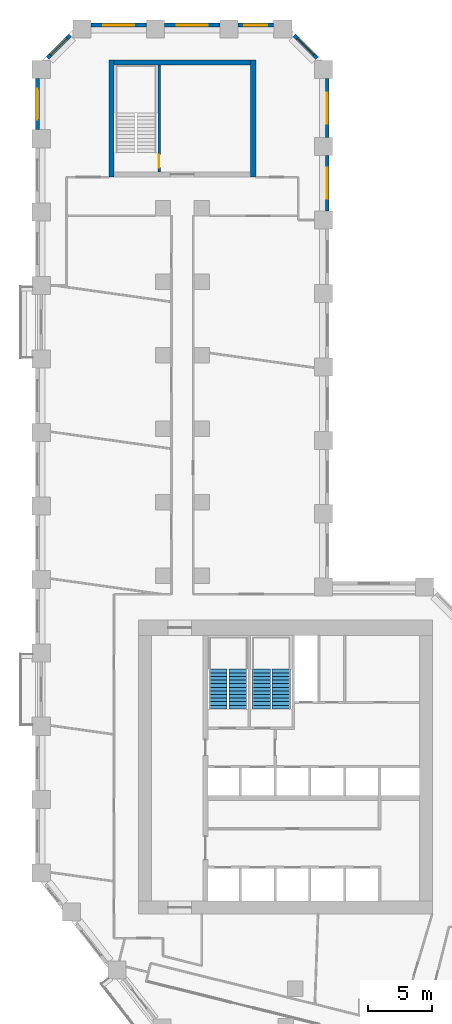
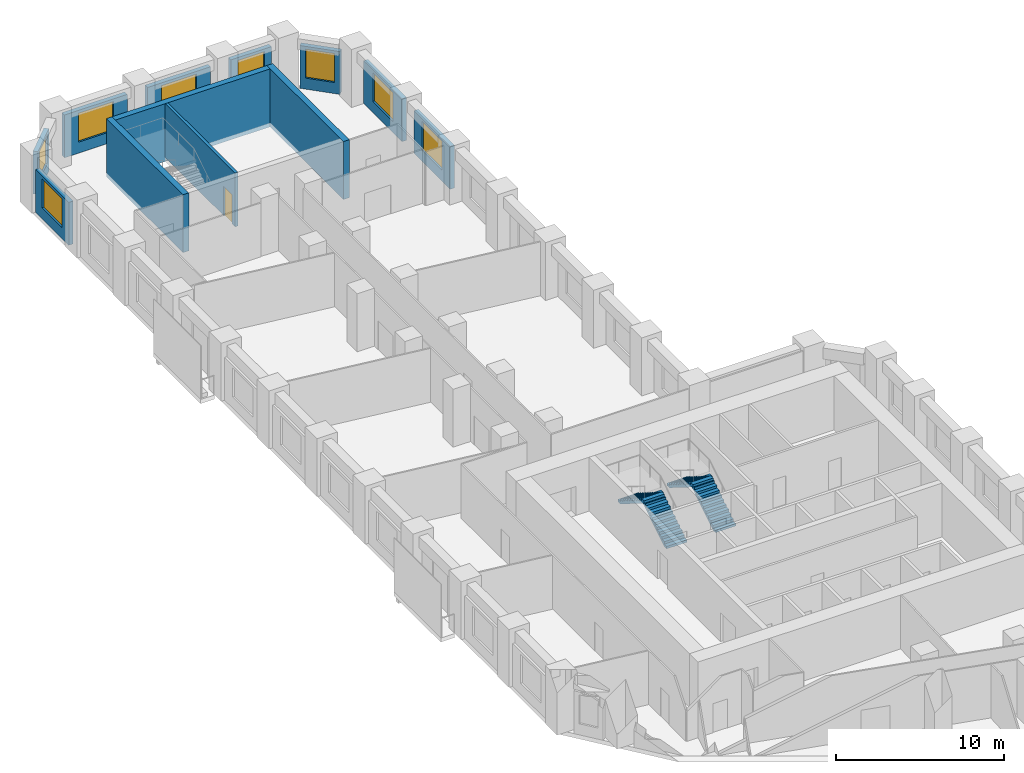
# One storey, part 9 of 11: 12 walls, 8 windows, 4 stair flights, 1 door, 9 openings, 2 elements without a shape of their own.
"""IFC4 building model written with IfcOpenShell, lengths in metres."""

from ifc_helpers import new_model, si_unit, direction, frame, frame_2d, origin, place, context, subcontext, project, spatial, polyline, rectangle, outline, extrude, material, layer, layer_set, type_object, element, fill, aggregate, save


model = new_model("IFC4")

# Units and contexts
model_context = context("Model", 3, precision=1e-05, world=origin(), true_north=direction((0.0, 1.0)))
body_context = subcontext(model_context, "Body", "Model", "MODEL_VIEW")
ifc_project = project(units=[si_unit("LENGTHUNIT", "METRE"), si_unit("AREAUNIT", "SQUARE_METRE"), si_unit("VOLUMEUNIT", "CUBIC_METRE"), si_unit("PLANEANGLEUNIT", "RADIAN"), si_unit("MASSUNIT", "GRAM", prefix="KILO")], contexts=[model_context])

# Site, building, storey
site_placement = place(None, origin())
site = spatial("IfcSite", under=ifc_project, at=site_placement, CompositionType="ELEMENT")
building_placement = place(site_placement, origin())
building = spatial("IfcBuilding", under=site, at=building_placement, Name="Meshkara Civic Tower", CompositionType="ELEMENT")
storey_placement = place(building_placement, frame((0.0, 0.0, 70.800048828125)))
storey = spatial("IfcBuildingStorey", under=building, at=storey_placement, Name="L15", CompositionType="ELEMENT", Elevation=70.800048828125)

# Wall, opening, window
ifc_material_1 = material(Name="Insulated infill panel with bronze anodised aluminium cladding", Category="aluminium")
ifc_layer_1 = layer(ifc_material_1, 0.300048828125)
ifc_layer_set_1 = layer_set([ifc_layer_1], Name="EXTERNAL INFILL WALL 300")
wall_type_1 = type_object("IfcWallType", Name="EXTERNAL INFILL WALL 300", PredefinedType="SOLIDWALL", material=ifc_layer_set_1)
wall_1_placement = place(storey_placement, frame((22.64990234375, 68.64990234375, 0.0), z_axis=(0.0, 0.0, 1.0), x_axis=(0.0, 1.0, 0.0)))
wall_1 = element("IfcWall", 1, at=wall_1_placement, inside=storey, type_object=wall_type_1, Name="External wall", PredefinedType="SOLIDWALL", context=body_context, shape_type="SweptSolid", body=[
    extrude(rectangle(XDim=4.300048828125, YDim=0.300048828125, at=frame_2d((2.14990234375, 0.0))), origin(), (0.0, 0.0, 1.0), 3.099853515625),
])
opening_1_placement = place(wall_1_placement, frame((0.949951171875, 0.0, 0.800048828125)))
opening_1 = element("IfcOpeningElement", 2, at=opening_1_placement, cuts=wall_1, Name="Opening W7", PredefinedType="OPENING", context=body_context, shape_type="SweptSolid", body=[
    extrude(rectangle(XDim=2.39990234375, YDim=2.10009765625, at=frame_2d((1.199951171875, 1.050048828125))), frame((0.0, 0.159912109375, 0.0), z_axis=(0.0, -1.0, 0.0), x_axis=(1.0, 0.0, 0.0)), (0.0, 0.0, 1.0), 0.320068359375),
])
ifc_material_2 = material(Name="Tinted double glazing", Category="glass")
window_type_1 = type_object("IfcWindowType", Name="WINDOW 2400x2100", PartitioningType="DOUBLE_PANEL_VERTICAL", PredefinedType="WINDOW", material=ifc_material_2)
window_1_placement = place(opening_1_placement, origin())
window_1 = element("IfcWindow", 3, at=window_1_placement, inside=storey, type_object=window_type_1, Name="Window", OverallHeight=2.10009765625, OverallWidth=2.39990234375, PartitioningType="DOUBLE_PANEL_VERTICAL", PredefinedType="WINDOW", context=body_context, shape_type="SweptSolid", body=[
    extrude(rectangle(XDim=2.39990234375, YDim=2.10009765625, at=frame_2d((1.199951171875, 1.050048828125))), frame((0.0, 0.030029296875, 0.0), z_axis=(0.0, -1.0, 0.0), x_axis=(1.0, 0.0, 0.0)), (0.0, 0.0, 1.0), 0.06005859375),
])
fill(opening_1, window_1)

wall_2_placement = place(storey_placement, frame((22.64990234375, 74.35009765625, 0.0), z_axis=(0.0, 0.0, 1.0), x_axis=(0.0, 1.0, 0.0)))
wall_2 = element("IfcWall", 4, at=wall_2_placement, inside=storey, type_object=wall_type_1, Name="External wall", PredefinedType="SOLIDWALL", context=body_context, shape_type="SweptSolid", body=[
    extrude(rectangle(XDim=4.56396484375, YDim=0.300048828125, at=frame_2d((2.281982421875, 0.0))), origin(), (0.0, 0.0, 1.0), 3.099853515625),
])
opening_2_placement = place(wall_2_placement, frame((1.08203125, 0.0, 0.800048828125)))
opening_2 = element("IfcOpeningElement", 5, at=opening_2_placement, cuts=wall_2, Name="Opening W7", PredefinedType="OPENING", context=body_context, shape_type="SweptSolid", body=[
    extrude(rectangle(XDim=2.39990234375, YDim=2.10009765625, at=frame_2d((1.199951171875, 1.050048828125))), frame((0.0, 0.159912109375, 0.0), z_axis=(0.0, -1.0, 0.0), x_axis=(1.0, 0.0, 0.0)), (0.0, 0.0, 1.0), 0.320068359375),
])
window_2_placement = place(opening_2_placement, origin())
window_2 = element("IfcWindow", 6, at=window_2_placement, inside=storey, type_object=window_type_1, Name="Window", OverallHeight=2.10009765625, OverallWidth=2.39990234375, PartitioningType="DOUBLE_PANEL_VERTICAL", PredefinedType="WINDOW", context=body_context, shape_type="SweptSolid", body=[
    extrude(rectangle(XDim=2.39990234375, YDim=2.10009765625, at=frame_2d((1.199951171875, 1.050048828125))), frame((0.0, 0.030029296875, 0.0), z_axis=(0.0, -1.0, 0.0), x_axis=(1.0, 0.0, 0.0)), (0.0, 0.0, 1.0), 0.06005859375),
])
fill(opening_2, window_2)

wall_3_placement = place(storey_placement, frame((21.862060546875, 80.52587890625, 0.0), z_axis=(0.0, 0.0, 1.0), x_axis=(-0.707106781187, 0.707106781187, 0.0)))
wall_3 = element("IfcWall", 7, at=wall_3_placement, inside=storey, type_object=wall_type_1, Name="External wall", PredefinedType="SOLIDWALL", context=body_context, shape_type="SweptSolid", body=[
    extrude(rectangle(XDim=2.4833984375, YDim=0.300048828125, at=frame_2d((1.24169921875, 0.0))), origin(), (0.0, 0.0, 1.0), 3.099853515625),
])
opening_3_placement = place(wall_3_placement, frame((0.342041015625, 0.0, 0.800048828125)))
opening_3 = element("IfcOpeningElement", 8, at=opening_3_placement, cuts=wall_3, Name="Opening W9", PredefinedType="OPENING", context=body_context, shape_type="SweptSolid", body=[
    extrude(rectangle(XDim=1.800048828125, YDim=2.10009765625, at=frame_2d((0.89990234375, 1.050048828125))), frame((0.0, 0.159912109375, 0.0), z_axis=(0.0, -1.0, 0.0), x_axis=(1.0, 0.0, 0.0)), (0.0, 0.0, 1.0), 0.320068359375),
])
ifc_material_3 = material(Name="Tinted double glazing", Category="glass")
window_type_2 = type_object("IfcWindowType", Name="WINDOW 1800x2100", PartitioningType="DOUBLE_PANEL_VERTICAL", PredefinedType="WINDOW", material=ifc_material_3)
window_3_placement = place(opening_3_placement, origin())
window_3 = element("IfcWindow", 9, at=window_3_placement, inside=storey, type_object=window_type_2, Name="Window", OverallHeight=2.10009765625, OverallWidth=1.800048828125, PartitioningType="DOUBLE_PANEL_VERTICAL", PredefinedType="WINDOW", context=body_context, shape_type="SweptSolid", body=[
    extrude(rectangle(XDim=1.800048828125, YDim=2.10009765625, at=frame_2d((0.89990234375, 1.050048828125))), frame((0.0, 0.030029296875, 0.0), z_axis=(0.0, -1.0, 0.0), x_axis=(1.0, 0.0, 0.0)), (0.0, 0.0, 1.0), 0.06005859375),
])
fill(opening_3, window_3)

wall_4_placement = place(storey_placement, frame((18.493896484375, 83.070068359375, 0.0), z_axis=(0.0, 0.0, 1.0), x_axis=(-1.0, 0.0, 0.0)))
wall_4 = element("IfcWall", 10, at=wall_4_placement, inside=storey, type_object=wall_type_1, Name="External wall", PredefinedType="SOLIDWALL", context=body_context, shape_type="SweptSolid", body=[
    extrude(rectangle(XDim=2.787841796875, YDim=0.300048828125, at=frame_2d((1.39404296875, 0.0))), origin(), (0.0, 0.0, 1.0), 3.099853515625),
])
opening_4_placement = place(wall_4_placement, frame((0.493896484375, 0.0, 0.800048828125)))
opening_4 = element("IfcOpeningElement", 11, at=opening_4_placement, cuts=wall_4, Name="Opening W9", PredefinedType="OPENING", context=body_context, shape_type="SweptSolid", body=[
    extrude(rectangle(XDim=1.800048828125, YDim=2.10009765625, at=frame_2d((0.89990234375, 1.050048828125))), frame((0.0, 0.159912109375, 0.0), z_axis=(0.0, -1.0, 0.0), x_axis=(1.0, 0.0, 0.0)), (0.0, 0.0, 1.0), 0.320068359375),
])
window_4_placement = place(opening_4_placement, origin())
window_4 = element("IfcWindow", 12, at=window_4_placement, inside=storey, type_object=window_type_2, Name="Window", OverallHeight=2.10009765625, OverallWidth=1.800048828125, PartitioningType="DOUBLE_PANEL_VERTICAL", PredefinedType="WINDOW", context=body_context, shape_type="SweptSolid", body=[
    extrude(rectangle(XDim=1.800048828125, YDim=2.10009765625, at=frame_2d((0.89990234375, 1.050048828125))), frame((0.0, 0.030029296875, 0.0), z_axis=(0.0, -1.0, 0.0), x_axis=(1.0, 0.0, 0.0)), (0.0, 0.0, 1.0), 0.06005859375),
])
fill(opening_4, window_4)

wall_5_placement = place(storey_placement, frame((14.305908203125, 83.070068359375, 0.0), z_axis=(0.0, 0.0, 1.0), x_axis=(-1.0, 0.0, 0.0)))
wall_5 = element("IfcWall", 13, at=wall_5_placement, inside=storey, type_object=wall_type_1, Name="External wall", PredefinedType="SOLIDWALL", context=body_context, shape_type="SweptSolid", body=[
    extrude(rectangle(XDim=4.2998046875, YDim=0.300048828125, at=frame_2d((2.14990234375, 0.0))), origin(), (0.0, 0.0, 1.0), 3.099853515625),
])
opening_5_placement = place(wall_5_placement, frame((0.949951171875, 0.0, 0.800048828125)))
opening_5 = element("IfcOpeningElement", 14, at=opening_5_placement, cuts=wall_5, Name="Opening W7", PredefinedType="OPENING", context=body_context, shape_type="SweptSolid", body=[
    extrude(rectangle(XDim=2.39990234375, YDim=2.10009765625, at=frame_2d((1.199951171875, 1.050048828125))), frame((0.0, 0.159912109375, 0.0), z_axis=(0.0, -1.0, 0.0), x_axis=(1.0, 0.0, 0.0)), (0.0, 0.0, 1.0), 0.320068359375),
])
window_5_placement = place(opening_5_placement, origin())
window_5 = element("IfcWindow", 15, at=window_5_placement, inside=storey, type_object=window_type_1, Name="Window", OverallHeight=2.10009765625, OverallWidth=2.39990234375, PartitioningType="DOUBLE_PANEL_VERTICAL", PredefinedType="WINDOW", context=body_context, shape_type="SweptSolid", body=[
    extrude(rectangle(XDim=2.39990234375, YDim=2.10009765625, at=frame_2d((1.199951171875, 1.050048828125))), frame((0.0, 0.030029296875, 0.0), z_axis=(0.0, -1.0, 0.0), x_axis=(1.0, 0.0, 0.0)), (0.0, 0.0, 1.0), 0.06005859375),
])
fill(opening_5, window_5)

wall_6_placement = place(storey_placement, frame((8.60595703125, 83.070068359375, 0.0), z_axis=(0.0, 0.0, 1.0), x_axis=(-1.0, 0.0, 0.0)))
wall_6 = element("IfcWall", 16, at=wall_6_placement, inside=storey, type_object=wall_type_1, Name="External wall", PredefinedType="SOLIDWALL", context=body_context, shape_type="SweptSolid", body=[
    extrude(rectangle(XDim=4.300048828125, YDim=0.300048828125, at=frame_2d((2.14990234375, 0.0))), origin(), (0.0, 0.0, 1.0), 3.099853515625),
])
opening_6_placement = place(wall_6_placement, frame((0.949951171875, 0.0, 0.800048828125)))
opening_6 = element("IfcOpeningElement", 17, at=opening_6_placement, cuts=wall_6, Name="Opening W7", PredefinedType="OPENING", context=body_context, shape_type="SweptSolid", body=[
    extrude(rectangle(XDim=2.39990234375, YDim=2.10009765625, at=frame_2d((1.199951171875, 1.050048828125))), frame((0.0, 0.159912109375, 0.0), z_axis=(0.0, -1.0, 0.0), x_axis=(1.0, 0.0, 0.0)), (0.0, 0.0, 1.0), 0.320068359375),
])
window_6_placement = place(opening_6_placement, origin())
window_6 = element("IfcWindow", 18, at=window_6_placement, inside=storey, type_object=window_type_1, Name="Window", OverallHeight=2.10009765625, OverallWidth=2.39990234375, PartitioningType="DOUBLE_PANEL_VERTICAL", PredefinedType="WINDOW", context=body_context, shape_type="SweptSolid", body=[
    extrude(rectangle(XDim=2.39990234375, YDim=2.10009765625, at=frame_2d((1.199951171875, 1.050048828125))), frame((0.0, 0.030029296875, 0.0), z_axis=(0.0, -1.0, 0.0), x_axis=(1.0, 0.0, 0.0)), (0.0, 0.0, 1.0), 0.06005859375),
])
fill(opening_6, window_6)

wall_7_placement = place(storey_placement, frame((2.694091796875, 82.281982421875, 0.0), z_axis=(0.0, 0.0, 1.0), x_axis=(-0.707106781187, -0.707106781187, 0.0)))
wall_7 = element("IfcWall", 19, at=wall_7_placement, inside=storey, type_object=wall_type_1, Name="External wall", PredefinedType="SOLIDWALL", context=body_context, shape_type="SweptSolid", body=[
    extrude(rectangle(XDim=2.4833984375, YDim=0.300048828125, at=frame_2d((1.24169921875, 0.0))), origin(), (0.0, 0.0, 1.0), 3.099853515625),
])
opening_7_placement = place(wall_7_placement, frame((0.342041015625, 0.0, 0.800048828125)))
opening_7 = element("IfcOpeningElement", 20, at=opening_7_placement, cuts=wall_7, Name="Opening W9", PredefinedType="OPENING", context=body_context, shape_type="SweptSolid", body=[
    extrude(rectangle(XDim=1.800048828125, YDim=2.10009765625, at=frame_2d((0.89990234375, 1.050048828125))), frame((0.0, 0.159912109375, 0.0), z_axis=(0.0, -1.0, 0.0), x_axis=(1.0, 0.0, 0.0)), (0.0, 0.0, 1.0), 0.320068359375),
])
window_7_placement = place(opening_7_placement, origin())
window_7 = element("IfcWindow", 21, at=window_7_placement, inside=storey, type_object=window_type_2, Name="Window", OverallHeight=2.10009765625, OverallWidth=1.800048828125, PartitioningType="DOUBLE_PANEL_VERTICAL", PredefinedType="WINDOW", context=body_context, shape_type="SweptSolid", body=[
    extrude(rectangle(XDim=1.800048828125, YDim=2.10009765625, at=frame_2d((0.89990234375, 1.050048828125))), frame((0.0, 0.030029296875, 0.0), z_axis=(0.0, -1.0, 0.0), x_axis=(1.0, 0.0, 0.0)), (0.0, 0.0, 1.0), 0.06005859375),
])
fill(opening_7, window_7)

wall_8_placement = place(storey_placement, frame((0.14990234375, 78.9140625, 0.0), z_axis=(0.0, 0.0, 1.0), x_axis=(0.0, -1.0, 0.0)))
wall_8 = element("IfcWall", 22, at=wall_8_placement, inside=storey, type_object=wall_type_1, Name="External wall", PredefinedType="SOLIDWALL", context=body_context, shape_type="SweptSolid", body=[
    extrude(rectangle(XDim=3.958984375, YDim=0.300048828125, at=frame_2d((1.9794921875, 0.0))), origin(), (0.0, 0.0, 1.0), 3.099853515625),
])
opening_8_placement = place(wall_8_placement, frame((0.780029296875, 0.0, 0.800048828125)))
opening_8 = element("IfcOpeningElement", 23, at=opening_8_placement, cuts=wall_8, Name="Opening W7", PredefinedType="OPENING", context=body_context, shape_type="SweptSolid", body=[
    extrude(rectangle(XDim=2.39990234375, YDim=2.10009765625, at=frame_2d((1.199951171875, 1.050048828125))), frame((0.0, 0.159912109375, 0.0), z_axis=(0.0, -1.0, 0.0), x_axis=(1.0, 0.0, 0.0)), (0.0, 0.0, 1.0), 0.320068359375),
])
window_8_placement = place(opening_8_placement, origin())
window_8 = element("IfcWindow", 24, at=window_8_placement, inside=storey, type_object=window_type_1, Name="Window", OverallHeight=2.10009765625, OverallWidth=2.39990234375, PartitioningType="DOUBLE_PANEL_VERTICAL", PredefinedType="WINDOW", context=body_context, shape_type="SweptSolid", body=[
    extrude(rectangle(XDim=2.39990234375, YDim=2.10009765625, at=frame_2d((1.199951171875, 1.050048828125))), frame((0.0, 0.030029296875, 0.0), z_axis=(0.0, -1.0, 0.0), x_axis=(1.0, 0.0, 0.0)), (0.0, 0.0, 1.0), 0.06005859375),
])
fill(opening_8, window_8)

# Walls
ifc_material_4 = material(Name="Concrete C80", Category="concrete")
ifc_layer_2 = layer(ifc_material_4, 0.39990234375)
ifc_layer_set_2 = layer_set([ifc_layer_2], Name="End core ring wall 400 C80")
wall_type_2 = type_object("IfcWallType", Name="End core ring wall 400 C80", PredefinedType="SHEAR", material=ifc_layer_set_2)
for number, where, z_axis, x_axis, name in (
    (25, (5.89990234375, 71.27001953125, -0.300048828125), (0.0, 0.0, 1.0), (0.0, 1.0, 0.0), "L15-C026"),
    (26, (16.89990234375, 71.27001953125, -0.300048828125), (0.0, 0.0, 1.0), (0.0, 1.0, 0.0), "L15-C027"),
):
    element("IfcWall", number, at=place(storey_placement, frame(where, z_axis=z_axis, x_axis=x_axis)), inside=storey, type_object=wall_type_2, Name=name, PredefinedType="SHEAR", context=body_context, shape_type="SweptSolid", body=[
        extrude(rectangle(XDim=9.10009765625, YDim=0.39990234375, at=frame_2d((4.550048828125, 0.0))), origin(), (0.0, 0.0, 1.0), 4.199951171875),
    ])
wall_9_placement = place(storey_placement, frame((6.10009765625, 80.169921875, -0.300048828125), z_axis=(0.0, 0.0, 1.0), x_axis=(1.0, 0.0, 0.0)))
element("IfcWall", 27, at=wall_9_placement, inside=storey, type_object=wall_type_2, Name="L15-C029", PredefinedType="SHEAR", context=body_context, shape_type="SweptSolid", body=[
    extrude(rectangle(XDim=10.599853515625, YDim=0.39990234375, at=frame_2d((5.2998046875, 0.0))), origin(), (0.0, 0.0, 1.0), 4.199951171875),
])

# Wall, opening, door
ifc_material_5 = material(Name="Concrete C40/50", Category="concrete")
ifc_layer_3 = layer(ifc_material_5, 0.199951171875)
ifc_layer_set_3 = layer_set([ifc_layer_3], Name="Stair enclosure wall 200 C40/50")
wall_type_3 = type_object("IfcWallType", Name="Stair enclosure wall 200 C40/50", PredefinedType="SOLIDWALL", material=ifc_layer_set_3)
wall_10_placement = place(storey_placement, frame((9.60009765625, 71.669921875, 0.0), z_axis=(0.0, 0.0, 1.0), x_axis=(0.0, 1.0, 0.0)))
wall_10 = element("IfcWall", 28, at=wall_10_placement, inside=storey, type_object=wall_type_3, Name="L15-C030", PredefinedType="SOLIDWALL", context=body_context, shape_type="SweptSolid", body=[
    extrude(rectangle(XDim=8.300048828125, YDim=0.199951171875, at=frame_2d((4.14990234375, 0.0))), origin(), (0.0, 0.0, 1.0), 3.89990234375),
])
opening_9_placement = place(wall_10_placement, frame((0.35009765625, 0.0, 0.0)))
opening_9 = element("IfcOpeningElement", 29, at=opening_9_placement, cuts=wall_10, Name="Opening L15-K101", PredefinedType="OPENING", context=body_context, shape_type="SweptSolid", body=[
    extrude(rectangle(XDim=1.0, YDim=2.10009765625, at=frame_2d((0.5, 1.050048828125))), frame((0.0, 0.10986328125, 0.0), z_axis=(0.0, -1.0, 0.0), x_axis=(1.0, 0.0, 0.0)), (0.0, 0.0, 1.0), 0.219970703125),
])
ifc_material_6 = material(Name="Fire-rated door leaf in steel frame", Category="steel")
door_type = type_object("IfcDoorType", Name="Stair door 1000 EI 120", OperationType="SINGLE_SWING_LEFT", PredefinedType="DOOR", material=ifc_material_6)
door_placement = place(opening_9_placement, origin())
door = element("IfcDoor", 30, at=door_placement, inside=storey, type_object=door_type, Name="L15-K101", OperationType="SINGLE_SWING_RIGHT", OverallHeight=2.10009765625, OverallWidth=1.0, PredefinedType="DOOR", context=body_context, shape_type="SweptSolid", body=[
    extrude(rectangle(XDim=1.0, YDim=2.10009765625, at=frame_2d((0.5, 1.050048828125))), frame((0.0, 0.02490234375, 0.0), z_axis=(0.0, -1.0, 0.0), x_axis=(1.0, 0.0, 0.0)), (0.0, 0.0, 1.0), 0.050048828125),
])
fill(opening_9, door)

# Stair, stair flights
ifc_material_7 = material(Name="Precast concrete C40/50", Category="concrete")
stair_type = type_object("IfcStairType", Name="Exit stair half-turn 24 risers precast", PredefinedType="HALF_TURN_STAIR", material=ifc_material_7)
stair_1_placement = place(storey_placement, origin())
stair_1 = element("IfcStair", 31, at=stair_1_placement, inside=storey, type_object=stair_type, Name="L15 exit stair 1", PredefinedType="HALF_TURN_STAIR")
ifc_material_8 = material(Name="Precast concrete C40/50", Category="concrete")
stair_flight_type = type_object("IfcStairFlightType", Name="Exit stair flight 12 risers precast", PredefinedType="STRAIGHT", material=ifc_material_8)
stair_flight_1_placement = place(storey_placement, frame((15.72509765625, 30.0, 0.0), z_axis=(0.0, 0.0, 1.0), x_axis=(0.0, 1.0, 0.0)))
stair_flight_1 = element("IfcStairFlight", 32, at=stair_flight_1_placement, type_object=stair_flight_type, Name="ST1 flight 1", NumberOfRisers=12, NumberOfTreads=11, PredefinedType="STRAIGHT", RiserHeight=0.175, TreadLength=0.28, context=body_context, shape_type="SweptSolid", body=[
    extrude(outline(polyline([(0.0, 0.0), (0.0, 0.175048828125), (0.280029296875, 0.175048828125), (0.280029296875, 0.35009765625), (0.56005859375, 0.35009765625), (0.56005859375, 0.52490234375), (0.840087890625, 0.52490234375), (0.840087890625, 0.699951171875), (1.1201171875, 0.699951171875), (1.1201171875, 0.875), (1.39990234375, 0.875), (1.39990234375, 1.050048828125), (1.679931640625, 1.050048828125), (1.679931640625, 1.22509765625), (1.9599609375, 1.22509765625), (1.9599609375, 1.39990234375), (2.239990234375, 1.39990234375), (2.239990234375, 1.574951171875), (2.52001953125, 1.574951171875), (2.52001953125, 1.75), (2.800048828125, 1.75), (2.800048828125, 1.925048828125), (3.080078125, 1.925048828125), (3.080078125, 2.10009765625), (3.080078125, 1.748291015625), (0.28271484375, 0.0), (0.0, 0.0)])), frame((0.0, 0.699951171875, 0.0), z_axis=(0.0, -1.0, 0.0), x_axis=(1.0, 0.0, 0.0)), (0.0, 0.0, 1.0), 1.39990234375),
])
stair_flight_2_placement = place(storey_placement, frame((14.175048828125, 33.080078125, 2.099853515625), z_axis=(0.0, 0.0, 1.0), x_axis=(0.0, -1.0, 0.0)))
stair_flight_2 = element("IfcStairFlight", 33, at=stair_flight_2_placement, type_object=stair_flight_type, Name="ST1 flight 2", NumberOfRisers=12, NumberOfTreads=11, PredefinedType="STRAIGHT", RiserHeight=0.175, TreadLength=0.28, context=body_context, shape_type="SweptSolid", body=[
    extrude(outline(polyline([(0.0, 0.0), (0.0, 0.175048828125), (0.280029296875, 0.175048828125), (0.280029296875, 0.35009765625), (0.56005859375, 0.35009765625), (0.56005859375, 0.52490234375), (0.840087890625, 0.52490234375), (0.840087890625, 0.699951171875), (1.1201171875, 0.699951171875), (1.1201171875, 0.875), (1.39990234375, 0.875), (1.39990234375, 1.050048828125), (1.679931640625, 1.050048828125), (1.679931640625, 1.22509765625), (1.9599609375, 1.22509765625), (1.9599609375, 1.39990234375), (2.239990234375, 1.39990234375), (2.239990234375, 1.574951171875), (2.52001953125, 1.574951171875), (2.52001953125, 1.75), (2.800048828125, 1.75), (2.800048828125, 1.925048828125), (3.080078125, 1.925048828125), (3.080078125, 2.10009765625), (3.080078125, 1.748291015625), (0.28271484375, 0.0), (0.0, 0.0)])), frame((0.0, 0.699951171875, 0.0), z_axis=(0.0, -1.0, 0.0), x_axis=(1.0, 0.0, 0.0)), (0.0, 0.0, 1.0), 1.39990234375),
])
aggregate(stair_1, [stair_flight_1, stair_flight_2])

stair_2_placement = place(storey_placement, origin())
stair_2 = element("IfcStair", 34, at=stair_2_placement, inside=storey, type_object=stair_type, Name="L15 exit stair 2", PredefinedType="HALF_TURN_STAIR")
stair_flight_3_placement = place(storey_placement, frame((19.074951171875, 30.0, 0.0), z_axis=(0.0, 0.0, 1.0), x_axis=(0.0, 1.0, 0.0)))
stair_flight_3 = element("IfcStairFlight", 35, at=stair_flight_3_placement, type_object=stair_flight_type, Name="ST2 flight 1", NumberOfRisers=12, NumberOfTreads=11, PredefinedType="STRAIGHT", RiserHeight=0.175, TreadLength=0.28, context=body_context, shape_type="SweptSolid", body=[
    extrude(outline(polyline([(0.0, 0.0), (0.0, 0.175048828125), (0.280029296875, 0.175048828125), (0.280029296875, 0.35009765625), (0.56005859375, 0.35009765625), (0.56005859375, 0.52490234375), (0.840087890625, 0.52490234375), (0.840087890625, 0.699951171875), (1.1201171875, 0.699951171875), (1.1201171875, 0.875), (1.39990234375, 0.875), (1.39990234375, 1.050048828125), (1.679931640625, 1.050048828125), (1.679931640625, 1.22509765625), (1.9599609375, 1.22509765625), (1.9599609375, 1.39990234375), (2.239990234375, 1.39990234375), (2.239990234375, 1.574951171875), (2.52001953125, 1.574951171875), (2.52001953125, 1.75), (2.800048828125, 1.75), (2.800048828125, 1.925048828125), (3.080078125, 1.925048828125), (3.080078125, 2.10009765625), (3.080078125, 1.748291015625), (0.28271484375, 0.0), (0.0, 0.0)])), frame((0.0, 0.699951171875, 0.0), z_axis=(0.0, -1.0, 0.0), x_axis=(1.0, 0.0, 0.0)), (0.0, 0.0, 1.0), 1.39990234375),
])
stair_flight_4_placement = place(storey_placement, frame((17.52490234375, 33.080078125, 2.099853515625), z_axis=(0.0, 0.0, 1.0), x_axis=(0.0, -1.0, 0.0)))
stair_flight_4 = element("IfcStairFlight", 36, at=stair_flight_4_placement, type_object=stair_flight_type, Name="ST2 flight 2", NumberOfRisers=12, NumberOfTreads=11, PredefinedType="STRAIGHT", RiserHeight=0.175, TreadLength=0.28, context=body_context, shape_type="SweptSolid", body=[
    extrude(outline(polyline([(0.0, 0.0), (0.0, 0.175048828125), (0.280029296875, 0.175048828125), (0.280029296875, 0.35009765625), (0.56005859375, 0.35009765625), (0.56005859375, 0.52490234375), (0.840087890625, 0.52490234375), (0.840087890625, 0.699951171875), (1.1201171875, 0.699951171875), (1.1201171875, 0.875), (1.39990234375, 0.875), (1.39990234375, 1.050048828125), (1.679931640625, 1.050048828125), (1.679931640625, 1.22509765625), (1.9599609375, 1.22509765625), (1.9599609375, 1.39990234375), (2.239990234375, 1.39990234375), (2.239990234375, 1.574951171875), (2.52001953125, 1.574951171875), (2.52001953125, 1.75), (2.800048828125, 1.75), (2.800048828125, 1.925048828125), (3.080078125, 1.925048828125), (3.080078125, 2.10009765625), (3.080078125, 1.748291015625), (0.28271484375, 0.0), (0.0, 0.0)])), frame((0.0, 0.699951171875, 0.0), z_axis=(0.0, -1.0, 0.0), x_axis=(1.0, 0.0, 0.0)), (0.0, 0.0, 1.0), 1.39990234375),
])
aggregate(stair_2, [stair_flight_3, stair_flight_4])

save(model, "model.ifc")
